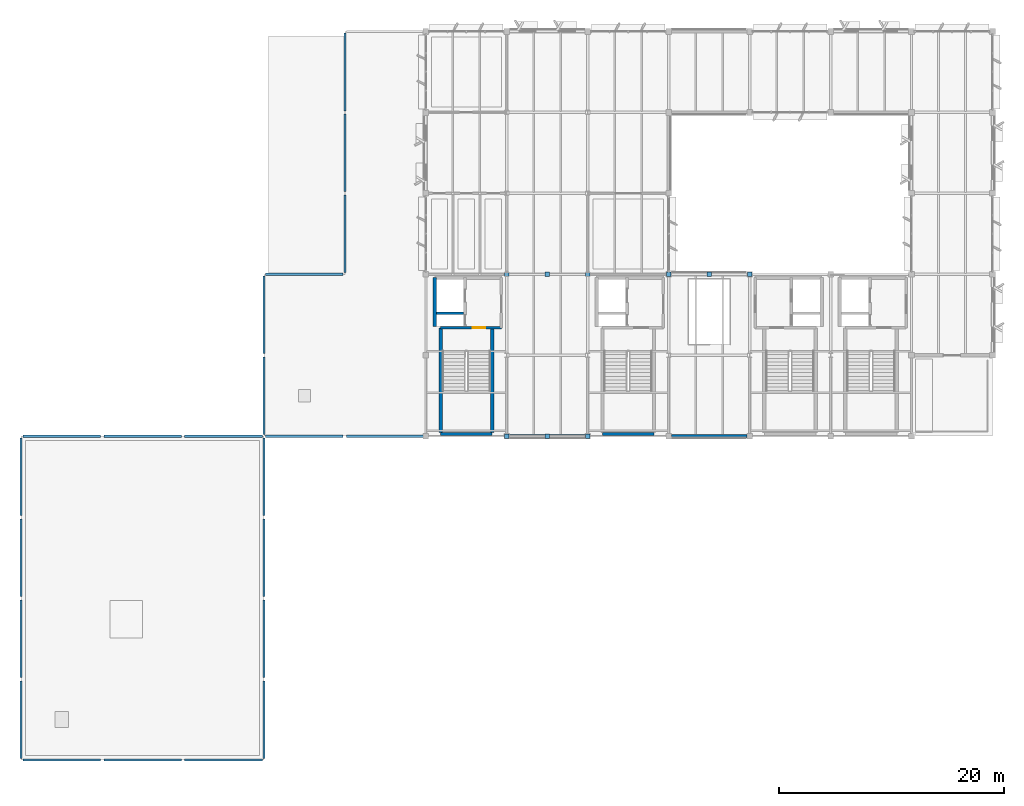
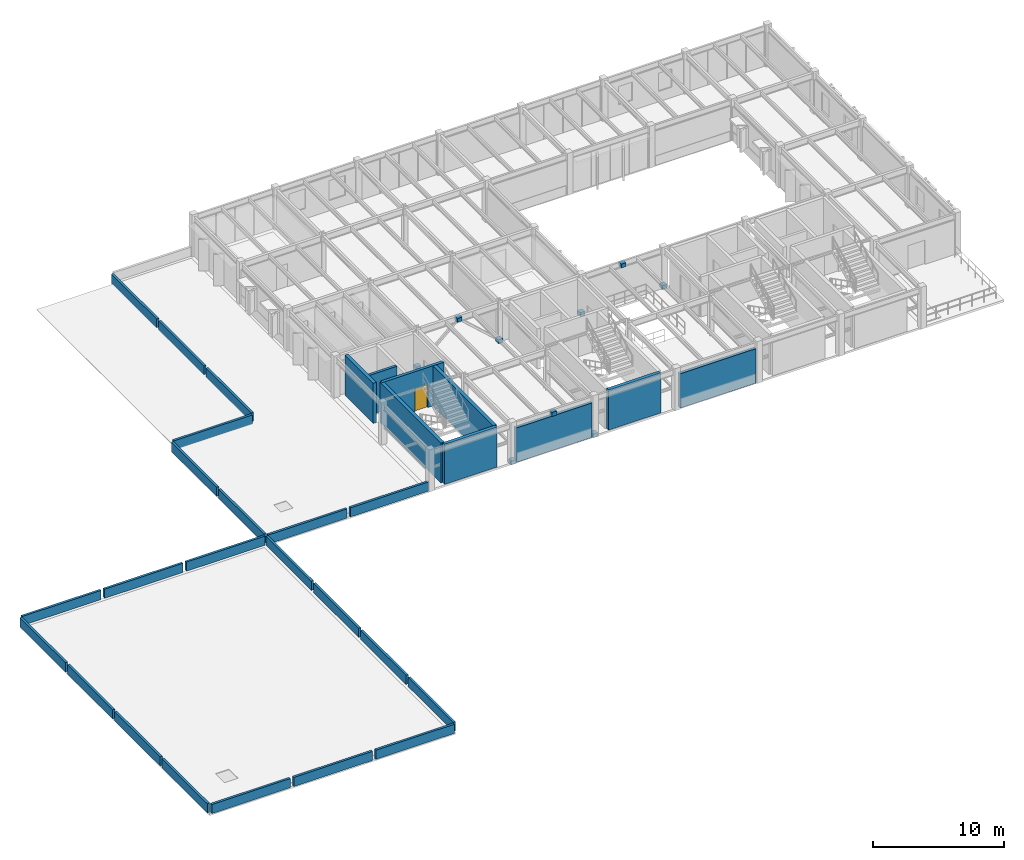
# One storey, part 5 of 23: 31 walls, 9 plates, 1 door, 1 opening.
"""IFC4 building model written with IfcOpenShell, lengths in metres."""

from ifc_helpers import new_model, si_unit, direction, frame, frame_2d, origin, origin_2d, place, context, subcontext, project, spatial, rectangle, extrude, material, layer, layer_set, type_object, element, fill, save


model = new_model("IFC4")

# Units and contexts
model_context = context("Model", 3, precision=1e-05, world=origin(), true_north=direction((0.0, 1.0)))
body_context = subcontext(model_context, "Body", "Model", "MODEL_VIEW")
ifc_project = project(units=[si_unit("LENGTHUNIT", "METRE"), si_unit("AREAUNIT", "SQUARE_METRE"), si_unit("VOLUMEUNIT", "CUBIC_METRE"), si_unit("PLANEANGLEUNIT", "RADIAN"), si_unit("MASSUNIT", "GRAM", prefix="KILO")], contexts=[model_context])

# Site, building, storey
site_placement = place(None, origin())
site = spatial("IfcSite", under=ifc_project, at=site_placement, CompositionType="ELEMENT")
building_placement = place(site_placement, origin())
building = spatial("IfcBuilding", under=site, at=building_placement, Name="Sillqori Civic Hall", CompositionType="ELEMENT")
storey_placement = place(building_placement, frame((0.0, 0.0, 21.89990234375)))
storey = spatial("IfcBuildingStorey", under=building, at=storey_placement, Name="L06", CompositionType="ELEMENT", Elevation=21.89990234375)

# Plates
ifc_material_1 = material(Name="Steel ASTM A36", Category="steel")
plate_type = type_object("IfcPlateType", Name="PLT-GUSSET-20", PredefinedType="SHEET", material=ifc_material_1)
for number, where, z_axis, x_axis, name in (
    (1, (61.199951171875, 79.199951171875, 3.22021484375), (0.0, 0.0, 1.0), (1.0, 0.0, 0.0), "L06 chevron brace node plate APX"),
    (2, (57.60009765625, 79.199951171875, -0.02978515625), (0.0, 0.0, 1.0), (1.0, 0.0, 0.0), "L06 chevron brace node plate BSL"),
    (3, (64.800048828125, 79.199951171875, -0.02978515625), (0.0, 0.0, 1.0), (1.0, 0.0, 0.0), "L06 chevron brace node plate BSR"),
    (4, (61.199951171875, 93.60009765625, 3.22021484375), (0.0, 0.0, 1.0), (1.0, 0.0, 0.0), "L06 chevron brace node plate APX"),
    (5, (57.60009765625, 93.60009765625, -0.02978515625), (0.0, 0.0, 1.0), (1.0, 0.0, 0.0), "L06 chevron brace node plate BSL"),
    (6, (64.800048828125, 93.60009765625, -0.02978515625), (0.0, 0.0, 1.0), (1.0, 0.0, 0.0), "L06 chevron brace node plate BSR"),
    (7, (75.60009765625, 93.60009765625, 3.22021484375), (0.0, 0.0, 1.0), (1.0, 0.0, 0.0), "L06 chevron brace node plate APX"),
    (8, (72.0, 93.60009765625, -0.02978515625), (0.0, 0.0, 1.0), (1.0, 0.0, 0.0), "L06 chevron brace node plate BSL"),
    (9, (79.199951171875, 93.60009765625, -0.02978515625), (0.0, 0.0, 1.0), (1.0, 0.0, 0.0), "L06 chevron brace node plate BSR"),
):
    element("IfcPlate", number, at=place(storey_placement, frame(where, z_axis=z_axis, x_axis=x_axis)), inside=storey, type_object=plate_type, Name=name, PredefinedType="SHEET", context=body_context, shape_type="SweptSolid", body=[
        extrude(rectangle(XDim=0.419921875, YDim=0.419921875, at=origin_2d()), origin(), (0.0, 0.0, 1.0), 0.360107421875),
    ])

# Wall
ifc_material_2 = material(Name="Concrete C35/45 (H35)", Category="concrete")
ifc_layer_1 = layer(ifc_material_2, 0.219970703125)
ifc_layer_set_1 = layer_set([ifc_layer_1], Name="Concrete C35/45 (H35)")
wall_type_1 = type_object("IfcWallType", Name="CW-SHR-220", PredefinedType="SHEAR", material=ifc_layer_set_1)
wall_1_placement = place(storey_placement, frame((51.35009765625, 90.14990234375, 0.0), z_axis=(0.0, 0.0, 1.0), x_axis=(1.0, 0.0, 0.0)))
element("IfcWall", 10, at=wall_1_placement, inside=storey, type_object=wall_type_1, Name="L06 C5 Lift-riser divider wall", PredefinedType="SHEAR", context=body_context, shape_type="SweptSolid", body=[
    extrude(rectangle(XDim=2.39990234375, YDim=0.219970703125, at=frame_2d((1.199951171875, 0.0))), origin(), (0.0, 0.0, 1.0), 3.72021484375),
])

# Wall, opening, door
ifc_layer_2 = layer(ifc_material_2, 0.260009765625)
ifc_layer_set_2 = layer_set([ifc_layer_2], Name="Concrete C35/45 (H35)")
wall_type_2 = type_object("IfcWallType", Name="CW-SHR-260", PredefinedType="SHEAR", material=ifc_layer_set_2)
wall_2_placement = place(storey_placement, frame((51.7099609375, 88.85009765625, 0.0), z_axis=(0.0, 0.0, 1.0), x_axis=(1.0, 0.0, 0.0)))
wall_2 = element("IfcWall", 11, at=wall_2_placement, inside=storey, type_object=wall_type_2, Name="L06 C5 Stair-lobby fire wall", PredefinedType="SHEAR", context=body_context, shape_type="SweptSolid", body=[
    extrude(rectangle(XDim=5.41015625, YDim=0.260009765625, at=frame_2d((2.705078125, 0.0))), origin(), (0.0, 0.0, 1.0), 3.72021484375),
])
opening_placement = place(wall_2_placement, frame((2.840087890625, 0.0, 0.0)))
opening = element("IfcOpeningElement", 12, at=opening_placement, cuts=wall_2, Name="Opening FD-01", PredefinedType="OPENING", context=body_context, shape_type="SweptSolid", body=[
    extrude(rectangle(XDim=1.14990234375, YDim=2.14990234375, at=frame_2d((0.574951171875, 1.074951171875))), frame((0.0, 0.139892578125, 0.0), z_axis=(0.0, -1.0, 0.0), x_axis=(1.0, 0.0, 0.0)), (0.0, 0.0, 1.0), 0.280029296875),
])
ifc_material_3 = material(Name="Galvanized Steel Fire Door FD90S", Category="steel")
door_type = type_object("IfcDoorType", Name="FDR-STR-115X215", OperationType="NOTDEFINED", PredefinedType="DOOR", material=ifc_material_3)
door_placement = place(opening_placement, origin())
door = element("IfcDoor", 13, at=door_placement, inside=storey, type_object=door_type, Name="L06 stair ST-05 fire door", OperationType="SINGLE_SWING_RIGHT", OverallHeight=2.14990234375, OverallWidth=1.14990234375, PredefinedType="DOOR", context=body_context, shape_type="SweptSolid", body=[
    extrude(rectangle(XDim=1.14990234375, YDim=2.14990234375, at=frame_2d((0.574951171875, 1.074951171875))), frame((0.0, 0.02490234375, 0.0), z_axis=(0.0, -1.0, 0.0), x_axis=(1.0, 0.0, 0.0)), (0.0, 0.0, 1.0), 0.050048828125),
])
fill(opening, door)

# Walls
ifc_layer_3 = layer(ifc_material_2, 0.300048828125)
ifc_layer_set_3 = layer_set([ifc_layer_3], Name="Concrete C35/45 (H35)")
wall_type_3 = type_object("IfcWallType", Name="CW-SHR-300", PredefinedType="SHEAR", material=ifc_layer_set_3)
wall_3_placement = place(storey_placement, frame((51.7099609375, 79.39990234375, 0.0), z_axis=(0.0, 0.0, 1.0), x_axis=(1.0, 0.0, 0.0)))
element("IfcWall", 14, at=wall_3_placement, inside=storey, type_object=wall_type_3, Name="L06 C5 Stair south shear wall", PredefinedType="SHEAR", context=body_context, shape_type="SweptSolid", body=[
    extrude(rectangle(XDim=4.580078125, YDim=0.300048828125, at=frame_2d((2.2900390625, 0.0))), origin(), (0.0, 0.0, 1.0), 3.72021484375),
])
for number, where, z_axis, x_axis, name in (
    (15, (51.7099609375, 79.550048828125, 0.0), (0.0, 0.0, 1.0), (0.0, 1.0, 0.0), "L06 C5 Stair west shear wall"),
    (16, (56.2900390625, 79.550048828125, 0.0), (0.0, 0.0, 1.0), (0.0, 1.0, 0.0), "L06 C5 Stair east shear wall"),
):
    element("IfcWall", number, at=place(storey_placement, frame(where, z_axis=z_axis, x_axis=x_axis)), inside=storey, type_object=wall_type_3, Name=name, PredefinedType="SHEAR", context=body_context, shape_type="SweptSolid", body=[
        extrude(rectangle(XDim=9.300048828125, YDim=0.300048828125, at=frame_2d((4.64990234375, 0.0))), origin(), (0.0, 0.0, 1.0), 3.72021484375),
    ])
wall_4_placement = place(storey_placement, frame((51.199951171875, 88.97998046875, 0.0), z_axis=(0.0, 0.0, 1.0), x_axis=(0.0, 1.0, 0.0)))
element("IfcWall", 17, at=wall_4_placement, inside=storey, type_object=wall_type_3, Name="L06 C5 Lift shaft west shear wall", PredefinedType="SHEAR", context=body_context, shape_type="SweptSolid", body=[
    extrude(rectangle(XDim=4.320068359375, YDim=0.300048828125, at=frame_2d((2.16015625, 0.0))), origin(), (0.0, 0.0, 1.0), 3.72021484375),
])
wall_5_placement = place(storey_placement, frame((66.110107421875, 79.39990234375, 0.0), z_axis=(0.0, 0.0, 1.0), x_axis=(1.0, 0.0, 0.0)))
element("IfcWall", 18, at=wall_5_placement, inside=storey, type_object=wall_type_3, Name="L06 C6 Stair south shear wall", PredefinedType="SHEAR", context=body_context, shape_type="SweptSolid", body=[
    extrude(rectangle(XDim=4.579833984375, YDim=0.300048828125, at=frame_2d((2.2900390625, 0.0))), origin(), (0.0, 0.0, 1.0), 3.72021484375),
])
ifc_material_4 = material(Name="Precast concrete C40/50 (H40)", Category="concrete")
ifc_layer_4 = layer(ifc_material_4, 0.280029296875)
ifc_layer_set_4 = layer_set([ifc_layer_4], Name="Precast concrete C40/50 (H40)")
wall_type_4 = type_object("IfcWallType", Name="EW-LIME-280", PredefinedType="SOLIDWALL", material=ifc_layer_set_4)
for number, where, z_axis, x_axis, name in (
    (19, (64.550048828125, 79.199951171875, 0.0), (0.0, 0.0, 1.0), (-1.0, 0.0, 0.0), "L06 V4 exterior wall L06-08-11-S"),
    (20, (78.949951171875, 79.199951171875, 0.0), (0.0, 0.0, 1.0), (-1.0, 0.0, 0.0), "L06 V4 exterior wall L06-10-11-S"),
):
    element("IfcWall", number, at=place(storey_placement, frame(where, z_axis=z_axis, x_axis=x_axis)), inside=storey, type_object=wall_type_4, Name=name, PredefinedType="SOLIDWALL", context=body_context, shape_type="SweptSolid", body=[
        extrude(rectangle(XDim=6.699951171875, YDim=0.280029296875, at=frame_2d((3.35009765625, 0.0))), origin(), (0.0, 0.0, 1.0), 3.192138671875),
    ])
ifc_layer_5 = layer(ifc_material_4, 0.199951171875)
ifc_layer_set_5 = layer_set([ifc_layer_5], Name="Precast concrete C40/50 (H40)")
wall_type_5 = type_object("IfcWallType", Name="WP-PAR-200", PredefinedType="PARAPET", material=ifc_layer_set_5)
wall_6_placement = place(storey_placement, frame((14.39990234375, 72.14990234375, 0.0), z_axis=(0.0, 0.0, 1.0), x_axis=(0.0, 1.0, 0.0)))
element("IfcWall", 21, at=wall_6_placement, inside=storey, type_object=wall_type_5, Name="L06 roof parapet 00", PredefinedType="PARAPET", context=body_context, shape_type="SweptSolid", body=[
    extrude(rectangle(XDim=6.900146484375, YDim=0.199951171875, at=frame_2d((3.4501953125, 0.0))), origin(), (0.0, 0.0, 1.0), 0.85009765625),
])
for number, where, z_axis, x_axis, name in (
    (22, (14.550048828125, 79.199951171875, 0.0), (0.0, 0.0, 1.0), (1.0, 0.0, 0.0), "L06 roof parapet 01"),
    (23, (21.75, 79.199951171875, 0.0), (0.0, 0.0, 1.0), (1.0, 0.0, 0.0), "L06 roof parapet 02"),
):
    element("IfcWall", number, at=place(storey_placement, frame(where, z_axis=z_axis, x_axis=x_axis)), inside=storey, type_object=wall_type_5, Name=name, PredefinedType="PARAPET", context=body_context, shape_type="SweptSolid", body=[
        extrude(rectangle(XDim=6.89990234375, YDim=0.199951171875, at=frame_2d((3.449951171875, 0.0))), origin(), (0.0, 0.0, 1.0), 0.85009765625),
    ])
for number, where, z_axis, x_axis, name in (
    (24, (28.949951171875, 79.199951171875, 0.0), (0.0, 0.0, 1.0), (1.0, 0.0, 0.0), "L06 roof parapet 03"),
    (25, (36.0, 79.050048828125, 0.0), (0.0, 0.0, 1.0), (0.0, -1.0, 0.0), "L06 roof parapet 04"),
    (26, (36.0, 71.85009765625, 0.0), (0.0, 0.0, 1.0), (0.0, -1.0, 0.0), "L06 roof parapet 05"),
):
    element("IfcWall", number, at=place(storey_placement, frame(where, z_axis=z_axis, x_axis=x_axis)), inside=storey, type_object=wall_type_5, Name=name, PredefinedType="PARAPET", context=body_context, shape_type="SweptSolid", body=[
        extrude(rectangle(XDim=6.900146484375, YDim=0.199951171875, at=frame_2d((3.4501953125, 0.0))), origin(), (0.0, 0.0, 1.0), 0.85009765625),
    ])
for number, where, z_axis, x_axis, name in (
    (27, (36.0, 64.64990234375, 0.0), (0.0, 0.0, 1.0), (0.0, -1.0, 0.0), "L06 roof parapet 06"),
    (28, (36.0, 57.449951171875, 0.0), (0.0, 0.0, 1.0), (0.0, -1.0, 0.0), "L06 roof parapet 07"),
):
    element("IfcWall", number, at=place(storey_placement, frame(where, z_axis=z_axis, x_axis=x_axis)), inside=storey, type_object=wall_type_5, Name=name, PredefinedType="PARAPET", context=body_context, shape_type="SweptSolid", body=[
        extrude(rectangle(XDim=6.89990234375, YDim=0.199951171875, at=frame_2d((3.449951171875, 0.0))), origin(), (0.0, 0.0, 1.0), 0.85009765625),
    ])
wall_7_placement = place(storey_placement, frame((35.85009765625, 50.39990234375, 0.0), z_axis=(0.0, 0.0, 1.0), x_axis=(-1.0, 0.0, 0.0)))
element("IfcWall", 29, at=wall_7_placement, inside=storey, type_object=wall_type_5, Name="L06 roof parapet 08", PredefinedType="PARAPET", context=body_context, shape_type="SweptSolid", body=[
    extrude(rectangle(XDim=6.900146484375, YDim=0.199951171875, at=frame_2d((3.4501953125, 0.0))), origin(), (0.0, 0.0, 1.0), 0.85009765625),
])
for number, where, z_axis, x_axis, name in (
    (30, (28.64990234375, 50.39990234375, 0.0), (0.0, 0.0, 1.0), (-1.0, 0.0, 0.0), "L06 roof parapet 09"),
    (31, (21.449951171875, 50.39990234375, 0.0), (0.0, 0.0, 1.0), (-1.0, 0.0, 0.0), "L06 roof parapet 10"),
    (32, (14.39990234375, 50.550048828125, 0.0), (0.0, 0.0, 1.0), (0.0, 1.0, 0.0), "L06 roof parapet 11"),
    (33, (14.39990234375, 57.75, 0.0), (0.0, 0.0, 1.0), (0.0, 1.0, 0.0), "L06 roof parapet 12"),
):
    element("IfcWall", number, at=place(storey_placement, frame(where, z_axis=z_axis, x_axis=x_axis)), inside=storey, type_object=wall_type_5, Name=name, PredefinedType="PARAPET", context=body_context, shape_type="SweptSolid", body=[
        extrude(rectangle(XDim=6.89990234375, YDim=0.199951171875, at=frame_2d((3.449951171875, 0.0))), origin(), (0.0, 0.0, 1.0), 0.85009765625),
    ])
for number, where, z_axis, x_axis, name in (
    (34, (14.39990234375, 64.949951171875, 0.0), (0.0, 0.0, 1.0), (0.0, 1.0, 0.0), "L06 roof parapet 13"),
    (35, (43.050048828125, 79.199951171875, 0.0), (0.0, 0.0, 1.0), (-1.0, 0.0, 0.0), "L06 roof parapet 00"),
):
    element("IfcWall", number, at=place(storey_placement, frame(where, z_axis=z_axis, x_axis=x_axis)), inside=storey, type_object=wall_type_5, Name=name, PredefinedType="PARAPET", context=body_context, shape_type="SweptSolid", body=[
        extrude(rectangle(XDim=6.900146484375, YDim=0.199951171875, at=frame_2d((3.4501953125, 0.0))), origin(), (0.0, 0.0, 1.0), 0.85009765625),
    ])
for number, where, z_axis, x_axis, name in (
    (36, (36.0, 79.35009765625, 0.0), (0.0, 0.0, 1.0), (0.0, 1.0, 0.0), "L06 roof parapet 01"),
    (37, (36.0, 86.550048828125, 0.0), (0.0, 0.0, 1.0), (0.0, 1.0, 0.0), "L06 roof parapet 02"),
):
    element("IfcWall", number, at=place(storey_placement, frame(where, z_axis=z_axis, x_axis=x_axis)), inside=storey, type_object=wall_type_5, Name=name, PredefinedType="PARAPET", context=body_context, shape_type="SweptSolid", body=[
        extrude(rectangle(XDim=6.89990234375, YDim=0.199951171875, at=frame_2d((3.449951171875, 0.0))), origin(), (0.0, 0.0, 1.0), 0.85009765625),
    ])
wall_8_placement = place(storey_placement, frame((36.14990234375, 93.60009765625, 0.0), z_axis=(0.0, 0.0, 1.0), x_axis=(1.0, 0.0, 0.0)))
element("IfcWall", 38, at=wall_8_placement, inside=storey, type_object=wall_type_5, Name="L06 roof parapet 03", PredefinedType="PARAPET", context=body_context, shape_type="SweptSolid", body=[
    extrude(rectangle(XDim=6.900146484375, YDim=0.199951171875, at=frame_2d((3.4501953125, 0.0))), origin(), (0.0, 0.0, 1.0), 0.85009765625),
])
wall_9_placement = place(storey_placement, frame((43.199951171875, 93.75, 0.0), z_axis=(0.0, 0.0, 1.0), x_axis=(0.0, 1.0, 0.0)))
element("IfcWall", 39, at=wall_9_placement, inside=storey, type_object=wall_type_5, Name="L06 roof parapet 04", PredefinedType="PARAPET", context=body_context, shape_type="SweptSolid", body=[
    extrude(rectangle(XDim=6.89990234375, YDim=0.199951171875, at=frame_2d((3.449951171875, 0.0))), origin(), (0.0, 0.0, 1.0), 0.85009765625),
])
for number, where, z_axis, x_axis, name in (
    (40, (43.199951171875, 100.949951171875, 0.0), (0.0, 0.0, 1.0), (0.0, 1.0, 0.0), "L06 roof parapet 05"),
    (41, (43.199951171875, 108.14990234375, 0.0), (0.0, 0.0, 1.0), (0.0, 1.0, 0.0), "L06 roof parapet 06"),
):
    element("IfcWall", number, at=place(storey_placement, frame(where, z_axis=z_axis, x_axis=x_axis)), inside=storey, type_object=wall_type_5, Name=name, PredefinedType="PARAPET", context=body_context, shape_type="SweptSolid", body=[
        extrude(rectangle(XDim=6.900146484375, YDim=0.199951171875, at=frame_2d((3.4501953125, 0.0))), origin(), (0.0, 0.0, 1.0), 0.85009765625),
    ])
wall_10_placement = place(storey_placement, frame((50.25, 79.199951171875, 0.0), z_axis=(0.0, 0.0, 1.0), x_axis=(-1.0, 0.0, 0.0)))
element("IfcWall", 42, at=wall_10_placement, inside=storey, type_object=wall_type_5, Name="L06 roof parapet 13", PredefinedType="PARAPET", context=body_context, shape_type="SweptSolid", body=[
    extrude(rectangle(XDim=6.89990234375, YDim=0.199951171875, at=frame_2d((3.449951171875, 0.0))), origin(), (0.0, 0.0, 1.0), 0.85009765625),
])

save(model, "model.ifc")
